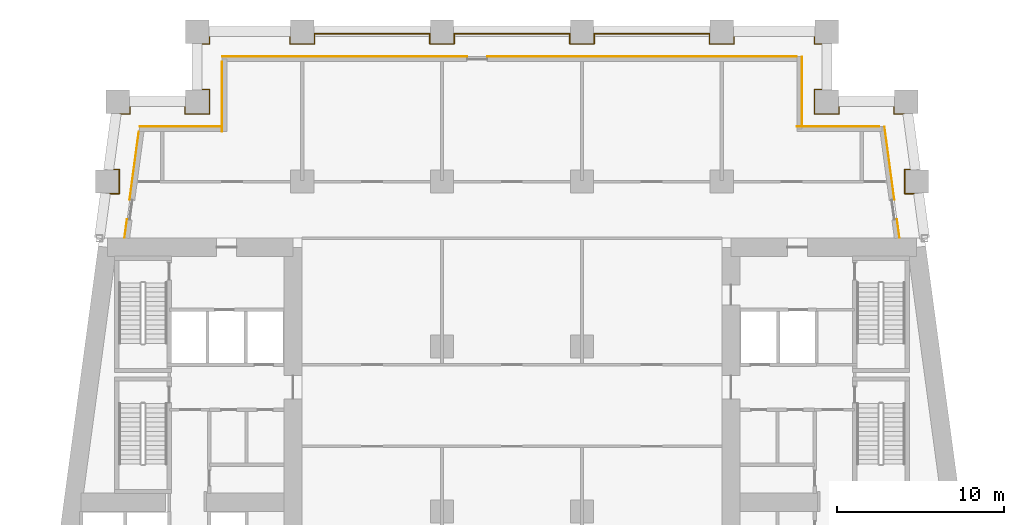
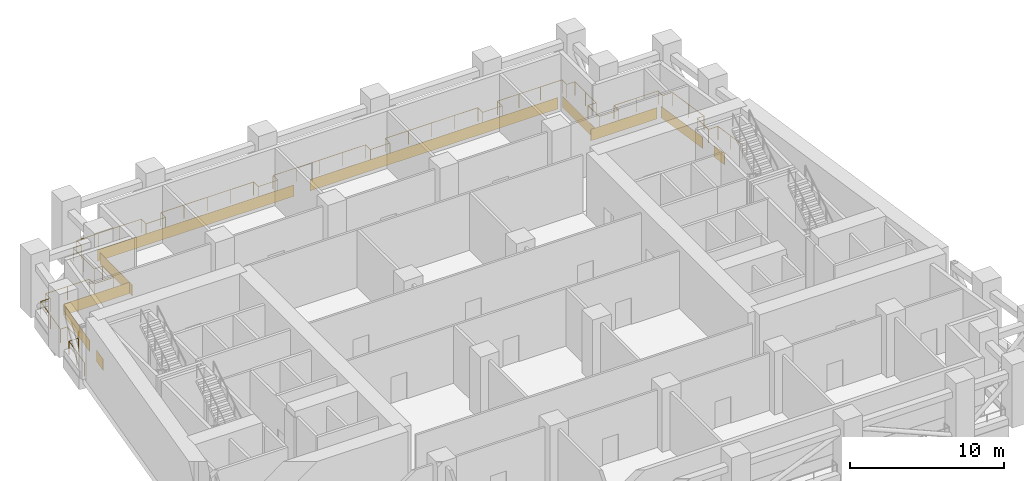
# One storey, part 12 of 12: 10 coverings, 1 railing.
"""IFC4 building model written with IfcOpenShell, lengths in metres."""

import ifcopenshell
import ifcopenshell.guid

model = None  # the IFC model being written
_history = None  # IfcOwnerHistory: only IFC2X3 demands one
_inside = {}  # id of a spatial element -> (the spatial element, [elements in it])
_under = {}  # id of a project, library or spatial element -> (it, [spatial elements below it])
_declared = {}  # id of a project -> (the project, [libraries it declares])
_typed = {}  # id of a type object -> (the type object, [elements of that type])
_made_of = {}  # id of a material, layer set ... -> (it, [elements and type objects made of it])


def new_model(schema):
    """Start an empty IFC model of exactly this schema.

    Asked for "IFC4X3", IfcOpenShell would pick the latest addendum, in which some entities
    have other attributes; the version numbers below select the first issue.
    IFC2X3 requires an IfcOwnerHistory on every rooted entity: one is made here for all.
    """
    global model, _history
    if schema == "IFC4X3":
        model = ifcopenshell.file(schema_version=(4, 3, 0, 0))
    else:
        model = ifcopenshell.file(schema=schema)
    _inside.clear()
    _under.clear()
    _declared.clear()
    _typed.clear()
    _made_of.clear()
    _history = None
    if model.schema == "IFC2X3":
        org = make("IfcOrganization", Name="unknown")
        user = make(
            "IfcPersonAndOrganization",
            ThePerson=make("IfcPerson", FamilyName="unknown"),
            TheOrganization=org,
        )
        app = make(
            "IfcApplication",
            ApplicationDeveloper=org,
            Version="unknown",
            ApplicationFullName="unknown",
            ApplicationIdentifier="unknown",
        )
        _history = make(
            "IfcOwnerHistory",
            OwningUser=user,
            OwningApplication=app,
            ChangeAction="ADDED",
            CreationDate=0,
        )
    return model


def make(cls, **values):
    """One entity of the class cls with the attributes given. An attribute that is None is left unset."""
    return model.create_entity(
        cls, **{name: value for name, value in values.items() if value is not None}
    )


def rooted(cls, **values):
    """An entity with a GlobalId (a new one), such as an element, a storey or a relation."""
    return make(cls, GlobalId=ifcopenshell.guid.new(), OwnerHistory=_history, **values)


def si_unit(unit_type, name, prefix=None):
    """IfcSIUnit, for example si_unit("LENGTHUNIT", "METRE", prefix="MILLI")."""
    return make("IfcSIUnit", UnitType=unit_type, Prefix=prefix, Name=name)


def assignment(units):
    """IfcUnitAssignment: the units of a project."""
    return None if units is None else make("IfcUnitAssignment", Units=units)


def point(xyz):
    """IfcCartesianPoint."""
    return None if xyz is None else make("IfcCartesianPoint", Coordinates=xyz)


def direction(xyz):
    """IfcDirection."""
    return None if xyz is None else make("IfcDirection", DirectionRatios=xyz)


def frame(location, z_axis=None, x_axis=None):
    """IfcAxis2Placement3D, a coordinate frame: its origin and axes. An axis left out is left unset."""
    return make(
        "IfcAxis2Placement3D",
        Location=point(location),
        Axis=direction(z_axis),
        RefDirection=direction(x_axis),
    )


def frame_2d(location, x_axis=None):
    """IfcAxis2Placement2D, a coordinate frame in the plane: its origin and x axis."""
    return make(
        "IfcAxis2Placement2D", Location=point(location), RefDirection=direction(x_axis)
    )


def origin():
    """The frame at (0, 0, 0) with its axes left unset."""
    return frame((0.0, 0.0, 0.0))


def origin_2d():
    """The frame at (0, 0) in the plane with its x axis left unset."""
    return frame_2d((0.0, 0.0))


def place(relative_to, where):
    """IfcLocalPlacement: puts the frame where relative to a parent placement (None: the world)."""
    return make(
        "IfcLocalPlacement", PlacementRelTo=relative_to, RelativePlacement=where
    )


def context(
    kind, dimensions, precision=None, world=None, true_north=None, identifier=None
):
    """IfcGeometricRepresentationContext, for example the 3D "Model" context."""
    return make(
        "IfcGeometricRepresentationContext",
        ContextIdentifier=identifier,
        ContextType=kind,
        CoordinateSpaceDimension=dimensions,
        Precision=precision,
        WorldCoordinateSystem=world,
        TrueNorth=true_north,
    )


def subcontext(parent, identifier, kind, view, scale=None):
    """IfcGeometricRepresentationSubContext, for example "Body" below "Model"."""
    return make(
        "IfcGeometricRepresentationSubContext",
        ContextIdentifier=identifier,
        ContextType=kind,
        ParentContext=parent,
        TargetScale=scale,
        TargetView=view,
    )


def project(units=None, contexts=None):
    """IfcProject with its units and contexts."""
    return rooted(
        "IfcProject",
        Name="project",
        RepresentationContexts=contexts,
        UnitsInContext=assignment(units),
    )


def spatial(cls, under=None, at=None, **own):
    """A site, building, storey or space (cls), placed at a placement, below another one or the project."""
    s = rooted(cls, ObjectPlacement=at, **own)
    if under is not None:
        _under.setdefault(under.id(), (under, []))[1].append(s)
    return s


def profile(cls, at=None, kind="AREA", **sizes):
    """A parametric profile (cls). Its sizes go by their IFC names, for example OverallWidth=200.0."""
    return make(cls, ProfileType=kind, Position=at, **sizes)


def rectangle(**sizes):
    """IfcRectangleProfileDef."""
    return profile("IfcRectangleProfileDef", **sizes)


def circle(**sizes):
    """IfcCircleProfileDef."""
    return profile("IfcCircleProfileDef", **sizes)


def extrude(swept, where, along, depth):
    """IfcExtrudedAreaSolid: the profile swept, set in the frame where, extruded along a direction by depth."""
    return make(
        "IfcExtrudedAreaSolid",
        SweptArea=swept,
        Position=where,
        ExtrudedDirection=direction(along),
        Depth=depth,
    )


def shape(context_of_items, identifier, shape_type, items):
    """IfcShapeRepresentation: the items that make up one representation, for example the "Body"."""
    return make(
        "IfcShapeRepresentation",
        ContextOfItems=context_of_items,
        RepresentationIdentifier=identifier,
        RepresentationType=shape_type,
        Items=items,
    )


def material(Name=None, Category=None):
    """IfcMaterial."""
    return make("IfcMaterial", Name=Name, Category=Category)


def layer(
    of_material, thickness, ventilated=None, Name=None, Category=None, Priority=None
):
    """IfcMaterialLayer: one layer of a wall or slab, of a material (None: an air gap)."""
    return make(
        "IfcMaterialLayer",
        Material=of_material,
        LayerThickness=thickness,
        IsVentilated=ventilated,
        Name=Name,
        Category=Category,
        Priority=Priority,
    )


def layer_set(layers, Name=None):
    """IfcMaterialLayerSet."""
    return make("IfcMaterialLayerSet", MaterialLayers=layers, LayerSetName=Name)


def made_of(thing, what):
    """Note that an element or type object is made of a material, layer set ...; save() writes the relation."""
    if what is not None:
        _made_of.setdefault(what.id(), (what, []))[1].append(thing)
    return thing


def type_object(cls, material=None, **own):
    """A type object (cls), such as IfcWallType, which elements share."""
    return made_of(rooted(cls, **own), material)


def element(
    cls,
    number,
    at=None,
    inside=None,
    cuts=None,
    type_object=None,
    material=None,
    context=None,
    identifier="Body",
    shape_type=None,
    held_by="IfcProductDefinitionShape",
    body=None,
    shapes=None,
    **own,
):
    """One element of the class cls, such as IfcWall. Its Tag is "e" and its number.

    at: its placement. inside: the storey or other place that contains it. cuts: it is an
    opening in that element (IfcRelVoidsElement). A single representation is given by context,
    identifier, shape_type and body (its items); several are given by shapes. held_by: the class
    of the entity that holds the representations. save() writes the other relations.
    """
    e = rooted(cls, Tag="e%d" % number, ObjectPlacement=at, **own)
    if body is not None:
        shapes = [shape(context, identifier, shape_type, body)]
    if shapes is not None:
        e.Representation = make(held_by, Representations=shapes)
    if inside is not None:
        _inside.setdefault(inside.id(), (inside, []))[1].append(e)
    if cuts is not None:
        rooted(
            "IfcRelVoidsElement", RelatingBuildingElement=cuts, RelatedOpeningElement=e
        )
    if type_object is not None:
        _typed.setdefault(type_object.id(), (type_object, []))[1].append(e)
    return made_of(e, material)


def aggregate(whole, parts):
    """IfcRelAggregates: a whole, such as a stair, and the parts it consists of."""
    return rooted("IfcRelAggregates", RelatingObject=whole, RelatedObjects=parts)


def save(model, path):
    """Write the relations noted so far, then the file.

    IfcRelAggregates (storeys below a building ...), IfcRelContainedInSpatialStructure (elements
    in a storey), IfcRelDefinesByType, IfcRelAssociatesMaterial and IfcRelDeclares: one each for
    every whole, place, type object, material and project.
    """
    for whole, parts in _under.values():
        aggregate(whole, parts)
    for where, things in _inside.values():
        rooted(
            "IfcRelContainedInSpatialStructure",
            RelatedElements=things,
            RelatingStructure=where,
        )
    for kind, things in _typed.values():
        rooted("IfcRelDefinesByType", RelatedObjects=things, RelatingType=kind)
    for what, things in _made_of.values():
        rooted("IfcRelAssociatesMaterial", RelatedObjects=things, RelatingMaterial=what)
    for by, libraries in _declared.values():
        rooted("IfcRelDeclares", RelatingContext=by, RelatedDefinitions=libraries)
    model.write(path)


model = new_model("IFC4")

# Units and contexts
model_context = context("Model", 3, precision=1e-05, world=origin(), true_north=direction((0.0, 1.0)))
body_context = subcontext(model_context, "Body", "Model", "MODEL_VIEW")
ifc_project = project(units=[si_unit("LENGTHUNIT", "METRE"), si_unit("AREAUNIT", "SQUARE_METRE"), si_unit("VOLUMEUNIT", "CUBIC_METRE"), si_unit("PLANEANGLEUNIT", "RADIAN"), si_unit("MASSUNIT", "GRAM", prefix="KILO")], contexts=[model_context])

# Site, building, storey
site_placement = place(None, origin())
site = spatial("IfcSite", under=ifc_project, at=site_placement, CompositionType="ELEMENT")
building_placement = place(site_placement, origin())
building = spatial("IfcBuilding", under=site, at=building_placement, Name="Candeia Pilgrim Tower and Theatre", CompositionType="ELEMENT")
storey_placement = place(building_placement, frame((0.0, 0.0, 81.0)))
storey = spatial("IfcBuildingStorey", under=building, at=storey_placement, Name="L18", CompositionType="ELEMENT", Elevation=81.0)

# Railing
ifc_material_1 = material(Name="Stainless steel balustrade", Category="steel")
railing_type = type_object("IfcRailingType", Name="G1 loggia guard 1100", PredefinedType="GUARDRAIL", material=ifc_material_1)
railing_placement = place(storey_placement, frame((88.758544921875, 132.449951171875, 0.0)))
element("IfcRailing", 1, at=railing_placement, inside=storey, type_object=railing_type, Name="Guard L18.2", PredefinedType="GUARDRAIL", context=body_context, shape_type="SweptSolid", body=[
    extrude(circle(Radius=0.02392578125, at=origin_2d()), frame((0.0, 0.0, 1.076171875), z_axis=(0.133439920495, 0.991056904329, 0.0), x_axis=(-0.991056904329, 0.133439920495, 0.0)), (0.0, 0.0, 1.0), 2.643798828125),
    extrude(circle(Radius=0.02392578125, at=origin_2d()), frame((0.352783203125, 2.6201171875, 1.076171875), z_axis=(1.0, 0.0, 0.0), x_axis=(0.0, 1.0, 0.0)), (0.0, 0.0, 1.0), 0.70703125),
    extrude(circle(Radius=0.02392578125, at=origin_2d()), frame((1.059814453125, 2.6201171875, 1.076171875), z_axis=(0.0, 1.0, 0.0), x_axis=(-1.0, 0.0, 0.0)), (0.0, 0.0, 1.0), 1.4599609375),
    extrude(circle(Radius=0.02392578125, at=origin_2d()), frame((1.059814453125, 4.080078125, 1.076171875), z_axis=(-1.0, 0.0, 0.0), x_axis=(0.0, -1.0, 0.0)), (0.0, 0.0, 1.0), 0.510498046875),
    extrude(circle(Radius=0.02392578125, at=origin_2d()), frame((0.54931640625, 4.080078125, 1.076171875), z_axis=(0.133364121373, 0.991067107279, 0.0), x_axis=(-0.991067107279, 0.133364121373, 0.0)), (0.0, 0.0, 1.0), 3.3701171875),
    extrude(circle(Radius=0.02392578125, at=origin_2d()), frame((0.998779296875, 7.420166015625, 1.076171875), z_axis=(1.0, 0.0, 0.0), x_axis=(0.0, 1.0, 0.0)), (0.0, 0.0, 1.0), 0.707275390625),
    extrude(circle(Radius=0.02392578125, at=origin_2d()), frame((1.7060546875, 7.420166015625, 1.076171875), z_axis=(0.0, 1.0, 0.0), x_axis=(-1.0, 0.0, 0.0)), (0.0, 0.0, 1.0), 0.60986328125),
    extrude(circle(Radius=0.02392578125, at=origin_2d()), frame((1.7060546875, 8.030029296875, 1.076171875), z_axis=(1.0, 0.0, 0.0), x_axis=(0.0, 1.0, 0.0)), (0.0, 0.0, 1.0), 3.305419921875),
    extrude(circle(Radius=0.02392578125, at=origin_2d()), frame((5.011474609375, 8.030029296875, 1.076171875), z_axis=(0.0, -1.0, 0.0), x_axis=(1.0, 0.0, 0.0)), (0.0, 0.0, 1.0), 0.60986328125),
    extrude(circle(Radius=0.02392578125, at=origin_2d()), frame((5.011474609375, 7.420166015625, 1.076171875), z_axis=(1.0, 0.0, 0.0), x_axis=(0.0, 1.0, 0.0)), (0.0, 0.0, 1.0), 1.4599609375),
    extrude(circle(Radius=0.02392578125, at=origin_2d()), frame((6.471435546875, 7.420166015625, 1.076171875), z_axis=(0.0, 1.0, 0.0), x_axis=(-1.0, 0.0, 0.0)), (0.0, 0.0, 1.0), 1.4599609375),
    extrude(circle(Radius=0.02392578125, at=origin_2d()), frame((6.471435546875, 8.880126953125, 1.076171875), z_axis=(-1.0, 0.0, 0.0), x_axis=(0.0, -1.0, 0.0)), (0.0, 0.0, 1.0), 0.60986328125),
    extrude(circle(Radius=0.02392578125, at=origin_2d()), frame((5.861572265625, 8.880126953125, 1.076171875), z_axis=(0.0, 1.0, 0.0), x_axis=(-1.0, 0.0, 0.0)), (0.0, 0.0, 1.0), 2.739990234375),
    extrude(circle(Radius=0.02392578125, at=origin_2d()), frame((5.861572265625, 11.6201171875, 1.076171875), z_axis=(1.0, 0.0, 0.0), x_axis=(0.0, 1.0, 0.0)), (0.0, 0.0, 1.0), 0.60986328125),
    extrude(circle(Radius=0.02392578125, at=origin_2d()), frame((6.471435546875, 11.6201171875, 1.076171875), z_axis=(0.0, 1.0, 0.0), x_axis=(-1.0, 0.0, 0.0)), (0.0, 0.0, 1.0), 0.60986328125),
    extrude(circle(Radius=0.02392578125, at=origin_2d()), frame((6.471435546875, 12.22998046875, 1.076171875), z_axis=(1.0, 0.0, 0.0), x_axis=(0.0, 1.0, 0.0)), (0.0, 0.0, 1.0), 4.840087890625),
    extrude(circle(Radius=0.02392578125, at=origin_2d()), frame((11.3115234375, 12.22998046875, 1.076171875), z_axis=(0.0, -1.0, 0.0), x_axis=(1.0, 0.0, 0.0)), (0.0, 0.0, 1.0), 0.60986328125),
    extrude(circle(Radius=0.02392578125, at=origin_2d()), frame((11.3115234375, 11.6201171875, 1.076171875), z_axis=(1.0, 0.0, 0.0), x_axis=(0.0, 1.0, 0.0)), (0.0, 0.0, 1.0), 1.4599609375),
    extrude(circle(Radius=0.02392578125, at=origin_2d()), frame((12.771484375, 11.6201171875, 1.076171875), z_axis=(0.0, 1.0, 0.0), x_axis=(-1.0, 0.0, 0.0)), (0.0, 0.0, 1.0), 0.60986328125),
    extrude(circle(Radius=0.02392578125, at=origin_2d()), frame((12.771484375, 12.22998046875, 1.076171875), z_axis=(1.0, 0.0, 0.0), x_axis=(0.0, 1.0, 0.0)), (0.0, 0.0, 1.0), 6.93994140625),
    extrude(circle(Radius=0.02392578125, at=origin_2d()), frame((19.71142578125, 12.22998046875, 1.076171875), z_axis=(0.0, -1.0, 0.0), x_axis=(1.0, 0.0, 0.0)), (0.0, 0.0, 1.0), 0.60986328125),
    extrude(circle(Radius=0.02392578125, at=origin_2d()), frame((19.71142578125, 11.6201171875, 1.076171875), z_axis=(1.0, 0.0, 0.0), x_axis=(0.0, 1.0, 0.0)), (0.0, 0.0, 1.0), 1.4599609375),
    extrude(circle(Radius=0.02392578125, at=origin_2d()), frame((21.17138671875, 11.6201171875, 1.076171875), z_axis=(0.0, 1.0, 0.0), x_axis=(-1.0, 0.0, 0.0)), (0.0, 0.0, 1.0), 0.60986328125),
    extrude(circle(Radius=0.02392578125, at=origin_2d()), frame((21.17138671875, 12.22998046875, 1.076171875), z_axis=(1.0, 0.0, 0.0), x_axis=(0.0, 1.0, 0.0)), (0.0, 0.0, 1.0), 6.940185546875),
    extrude(circle(Radius=0.02392578125, at=origin_2d()), frame((28.111572265625, 12.22998046875, 1.076171875), z_axis=(0.0, -1.0, 0.0), x_axis=(1.0, 0.0, 0.0)), (0.0, 0.0, 1.0), 0.60986328125),
    extrude(circle(Radius=0.02392578125, at=origin_2d()), frame((28.111572265625, 11.6201171875, 1.076171875), z_axis=(1.0, 0.0, 0.0), x_axis=(0.0, 1.0, 0.0)), (0.0, 0.0, 1.0), 1.4599609375),
    extrude(circle(Radius=0.02392578125, at=origin_2d()), frame((29.571533203125, 11.6201171875, 1.076171875), z_axis=(0.0, 1.0, 0.0), x_axis=(-1.0, 0.0, 0.0)), (0.0, 0.0, 1.0), 0.60986328125),
    extrude(circle(Radius=0.02392578125, at=origin_2d()), frame((29.571533203125, 12.22998046875, 1.076171875), z_axis=(1.0, 0.0, 0.0), x_axis=(0.0, 1.0, 0.0)), (0.0, 0.0, 1.0), 6.93994140625),
    extrude(circle(Radius=0.02392578125, at=origin_2d()), frame((36.511474609375, 12.22998046875, 1.076171875), z_axis=(0.0, -1.0, 0.0), x_axis=(1.0, 0.0, 0.0)), (0.0, 0.0, 1.0), 0.60986328125),
    extrude(circle(Radius=0.02392578125, at=origin_2d()), frame((36.511474609375, 11.6201171875, 1.076171875), z_axis=(1.0, 0.0, 0.0), x_axis=(0.0, 1.0, 0.0)), (0.0, 0.0, 1.0), 1.4599609375),
    extrude(circle(Radius=0.02392578125, at=origin_2d()), frame((37.971435546875, 11.6201171875, 1.076171875), z_axis=(0.0, 1.0, 0.0), x_axis=(-1.0, 0.0, 0.0)), (0.0, 0.0, 1.0), 0.60986328125),
    extrude(circle(Radius=0.02392578125, at=origin_2d()), frame((37.971435546875, 12.22998046875, 1.076171875), z_axis=(1.0, 0.0, 0.0), x_axis=(0.0, 1.0, 0.0)), (0.0, 0.0, 1.0), 4.840087890625),
    extrude(circle(Radius=0.02392578125, at=origin_2d()), frame((42.8115234375, 12.22998046875, 1.076171875), z_axis=(0.0, -1.0, 0.0), x_axis=(1.0, 0.0, 0.0)), (0.0, 0.0, 1.0), 0.60986328125),
    extrude(circle(Radius=0.02392578125, at=origin_2d()), frame((42.8115234375, 11.6201171875, 1.076171875), z_axis=(1.0, 0.0, 0.0), x_axis=(0.0, 1.0, 0.0)), (0.0, 0.0, 1.0), 0.60986328125),
    extrude(circle(Radius=0.02392578125, at=origin_2d()), frame((43.42138671875, 11.6201171875, 1.076171875), z_axis=(0.0, -1.0, 0.0), x_axis=(1.0, 0.0, 0.0)), (0.0, 0.0, 1.0), 2.739990234375),
    extrude(circle(Radius=0.02392578125, at=origin_2d()), frame((43.42138671875, 8.880126953125, 1.076171875), z_axis=(-1.0, 0.0, 0.0), x_axis=(0.0, -1.0, 0.0)), (0.0, 0.0, 1.0), 0.60986328125),
    extrude(circle(Radius=0.02392578125, at=origin_2d()), frame((42.8115234375, 8.880126953125, 1.076171875), z_axis=(0.0, -1.0, 0.0), x_axis=(1.0, 0.0, 0.0)), (0.0, 0.0, 1.0), 1.4599609375),
    extrude(circle(Radius=0.02392578125, at=origin_2d()), frame((42.8115234375, 7.420166015625, 1.076171875), z_axis=(1.0, 0.0, 0.0), x_axis=(0.0, 1.0, 0.0)), (0.0, 0.0, 1.0), 1.4599609375),
    extrude(circle(Radius=0.02392578125, at=origin_2d()), frame((44.271484375, 7.420166015625, 1.076171875), z_axis=(0.0, 1.0, 0.0), x_axis=(-1.0, 0.0, 0.0)), (0.0, 0.0, 1.0), 0.60986328125),
    extrude(circle(Radius=0.02392578125, at=origin_2d()), frame((44.271484375, 8.030029296875, 1.076171875), z_axis=(1.0, 0.0, 0.0), x_axis=(0.0, 1.0, 0.0)), (0.0, 0.0, 1.0), 3.305419921875),
    extrude(circle(Radius=0.02392578125, at=origin_2d()), frame((47.576904296875, 8.030029296875, 1.076171875), z_axis=(0.0, -1.0, 0.0), x_axis=(1.0, 0.0, 0.0)), (0.0, 0.0, 1.0), 0.60986328125),
    extrude(circle(Radius=0.02392578125, at=origin_2d()), frame((47.576904296875, 7.420166015625, 1.076171875), z_axis=(1.0, 0.0, 0.0), x_axis=(0.0, 1.0, 0.0)), (0.0, 0.0, 1.0), 0.70703125),
    extrude(circle(Radius=0.02392578125, at=origin_2d()), frame((48.283935546875, 7.420166015625, 1.076171875), z_axis=(0.133435273035, -0.991057530071, 0.0), x_axis=(0.991057530071, 0.133435273035, 0.0)), (0.0, 0.0, 1.0), 3.3701171875),
    extrude(circle(Radius=0.02392578125, at=origin_2d()), frame((48.733642578125, 4.080078125, 1.076171875), z_axis=(-1.0, 0.0, 0.0), x_axis=(0.0, -1.0, 0.0)), (0.0, 0.0, 1.0), 0.5107421875),
    extrude(circle(Radius=0.02392578125, at=origin_2d()), frame((48.222900390625, 4.080078125, 1.076171875), z_axis=(0.0, -1.0, 0.0), x_axis=(1.0, 0.0, 0.0)), (0.0, 0.0, 1.0), 1.4599609375),
    extrude(circle(Radius=0.02392578125, at=origin_2d()), frame((48.222900390625, 2.6201171875, 1.076171875), z_axis=(1.0, 0.0, 0.0), x_axis=(0.0, 1.0, 0.0)), (0.0, 0.0, 1.0), 0.707275390625),
    extrude(circle(Radius=0.02392578125, at=origin_2d()), frame((48.93017578125, 2.6201171875, 1.076171875), z_axis=(0.133439920495, -0.991056904329, 0.0), x_axis=(0.991056904329, 0.133439920495, 0.0)), (0.0, 0.0, 1.0), 2.643798828125),
    extrude(circle(Radius=0.02099609375, at=origin_2d()), origin(), (0.0, 0.0, 1.0), 1.052001953125),
    extrude(circle(Radius=0.02099609375, at=origin_2d()), frame((0.17626953125, 1.31005859375, 0.0)), (0.0, 0.0, 1.0), 1.052001953125),
    extrude(circle(Radius=0.02099609375, at=origin_2d()), frame((0.352783203125, 2.6201171875, 0.0)), (0.0, 0.0, 1.0), 1.052001953125),
    extrude(circle(Radius=0.02099609375, at=origin_2d()), frame((1.059814453125, 2.6201171875, 0.0)), (0.0, 0.0, 1.0), 1.052001953125),
    extrude(circle(Radius=0.02099609375, at=origin_2d()), frame((1.059814453125, 4.080078125, 0.0)), (0.0, 0.0, 1.0), 1.052001953125),
    extrude(circle(Radius=0.02099609375, at=origin_2d()), frame((0.54931640625, 4.080078125, 0.0)), (0.0, 0.0, 1.0), 1.052001953125),
    extrude(circle(Radius=0.02099609375, at=origin_2d()), frame((0.77392578125, 5.75, 0.0)), (0.0, 0.0, 1.0), 1.052001953125),
    extrude(circle(Radius=0.02099609375, at=origin_2d()), frame((0.998779296875, 7.420166015625, 0.0)), (0.0, 0.0, 1.0), 1.052001953125),
    extrude(circle(Radius=0.02099609375, at=origin_2d()), frame((1.7060546875, 7.420166015625, 0.0)), (0.0, 0.0, 1.0), 1.052001953125),
    extrude(circle(Radius=0.02099609375, at=origin_2d()), frame((1.7060546875, 8.030029296875, 0.0)), (0.0, 0.0, 1.0), 1.052001953125),
    extrude(circle(Radius=0.02099609375, at=origin_2d()), frame((3.35888671875, 8.030029296875, 0.0)), (0.0, 0.0, 1.0), 1.052001953125),
    extrude(circle(Radius=0.02099609375, at=origin_2d()), frame((5.011474609375, 8.030029296875, 0.0)), (0.0, 0.0, 1.0), 1.052001953125),
    extrude(circle(Radius=0.02099609375, at=origin_2d()), frame((5.011474609375, 7.420166015625, 0.0)), (0.0, 0.0, 1.0), 1.052001953125),
    extrude(circle(Radius=0.02099609375, at=origin_2d()), frame((6.471435546875, 7.420166015625, 0.0)), (0.0, 0.0, 1.0), 1.052001953125),
    extrude(circle(Radius=0.02099609375, at=origin_2d()), frame((6.471435546875, 8.880126953125, 0.0)), (0.0, 0.0, 1.0), 1.052001953125),
    extrude(circle(Radius=0.02099609375, at=origin_2d()), frame((5.861572265625, 8.880126953125, 0.0)), (0.0, 0.0, 1.0), 1.052001953125),
    extrude(circle(Radius=0.02099609375, at=origin_2d()), frame((5.861572265625, 10.25, 0.0)), (0.0, 0.0, 1.0), 1.052001953125),
    extrude(circle(Radius=0.02099609375, at=origin_2d()), frame((5.861572265625, 11.6201171875, 0.0)), (0.0, 0.0, 1.0), 1.052001953125),
    extrude(circle(Radius=0.02099609375, at=origin_2d()), frame((6.471435546875, 11.6201171875, 0.0)), (0.0, 0.0, 1.0), 1.052001953125),
    extrude(circle(Radius=0.02099609375, at=origin_2d()), frame((6.471435546875, 12.22998046875, 0.0)), (0.0, 0.0, 1.0), 1.052001953125),
    extrude(circle(Radius=0.02099609375, at=origin_2d()), frame((8.084716796875, 12.22998046875, 0.0)), (0.0, 0.0, 1.0), 1.052001953125),
    extrude(circle(Radius=0.02099609375, at=origin_2d()), frame((9.6982421875, 12.22998046875, 0.0)), (0.0, 0.0, 1.0), 1.052001953125),
    extrude(circle(Radius=0.02099609375, at=origin_2d()), frame((11.3115234375, 12.22998046875, 0.0)), (0.0, 0.0, 1.0), 1.052001953125),
    extrude(circle(Radius=0.02099609375, at=origin_2d()), frame((11.3115234375, 11.6201171875, 0.0)), (0.0, 0.0, 1.0), 1.052001953125),
    extrude(circle(Radius=0.02099609375, at=origin_2d()), frame((12.771484375, 11.6201171875, 0.0)), (0.0, 0.0, 1.0), 1.052001953125),
    extrude(circle(Radius=0.02099609375, at=origin_2d()), frame((12.771484375, 12.22998046875, 0.0)), (0.0, 0.0, 1.0), 1.052001953125),
    extrude(circle(Radius=0.02099609375, at=origin_2d()), frame((14.50634765625, 12.22998046875, 0.0)), (0.0, 0.0, 1.0), 1.052001953125),
    extrude(circle(Radius=0.02099609375, at=origin_2d()), frame((16.241455078125, 12.22998046875, 0.0)), (0.0, 0.0, 1.0), 1.052001953125),
    extrude(circle(Radius=0.02099609375, at=origin_2d()), frame((17.9765625, 12.22998046875, 0.0)), (0.0, 0.0, 1.0), 1.052001953125),
    extrude(circle(Radius=0.02099609375, at=origin_2d()), frame((19.71142578125, 12.22998046875, 0.0)), (0.0, 0.0, 1.0), 1.052001953125),
    extrude(circle(Radius=0.02099609375, at=origin_2d()), frame((19.71142578125, 11.6201171875, 0.0)), (0.0, 0.0, 1.0), 1.052001953125),
    extrude(circle(Radius=0.02099609375, at=origin_2d()), frame((21.17138671875, 11.6201171875, 0.0)), (0.0, 0.0, 1.0), 1.052001953125),
    extrude(circle(Radius=0.02099609375, at=origin_2d()), frame((21.17138671875, 12.22998046875, 0.0)), (0.0, 0.0, 1.0), 1.052001953125),
    extrude(circle(Radius=0.02099609375, at=origin_2d()), frame((22.906494140625, 12.22998046875, 0.0)), (0.0, 0.0, 1.0), 1.052001953125),
    extrude(circle(Radius=0.02099609375, at=origin_2d()), frame((24.6416015625, 12.22998046875, 0.0)), (0.0, 0.0, 1.0), 1.052001953125),
    extrude(circle(Radius=0.02099609375, at=origin_2d()), frame((26.37646484375, 12.22998046875, 0.0)), (0.0, 0.0, 1.0), 1.052001953125),
    extrude(circle(Radius=0.02099609375, at=origin_2d()), frame((28.111572265625, 12.22998046875, 0.0)), (0.0, 0.0, 1.0), 1.052001953125),
    extrude(circle(Radius=0.02099609375, at=origin_2d()), frame((28.111572265625, 11.6201171875, 0.0)), (0.0, 0.0, 1.0), 1.052001953125),
    extrude(circle(Radius=0.02099609375, at=origin_2d()), frame((29.571533203125, 11.6201171875, 0.0)), (0.0, 0.0, 1.0), 1.052001953125),
    extrude(circle(Radius=0.02099609375, at=origin_2d()), frame((29.571533203125, 12.22998046875, 0.0)), (0.0, 0.0, 1.0), 1.052001953125),
    extrude(circle(Radius=0.02099609375, at=origin_2d()), frame((31.306640625, 12.22998046875, 0.0)), (0.0, 0.0, 1.0), 1.052001953125),
    extrude(circle(Radius=0.02099609375, at=origin_2d()), frame((33.04150390625, 12.22998046875, 0.0)), (0.0, 0.0, 1.0), 1.052001953125),
    extrude(circle(Radius=0.02099609375, at=origin_2d()), frame((34.7763671875, 12.22998046875, 0.0)), (0.0, 0.0, 1.0), 1.052001953125),
    extrude(circle(Radius=0.02099609375, at=origin_2d()), frame((36.511474609375, 12.22998046875, 0.0)), (0.0, 0.0, 1.0), 1.052001953125),
    extrude(circle(Radius=0.02099609375, at=origin_2d()), frame((36.511474609375, 11.6201171875, 0.0)), (0.0, 0.0, 1.0), 1.052001953125),
    extrude(circle(Radius=0.02099609375, at=origin_2d()), frame((37.971435546875, 11.6201171875, 0.0)), (0.0, 0.0, 1.0), 1.052001953125),
    extrude(circle(Radius=0.02099609375, at=origin_2d()), frame((37.971435546875, 12.22998046875, 0.0)), (0.0, 0.0, 1.0), 1.052001953125),
    extrude(circle(Radius=0.02099609375, at=origin_2d()), frame((39.584716796875, 12.22998046875, 0.0)), (0.0, 0.0, 1.0), 1.052001953125),
    extrude(circle(Radius=0.02099609375, at=origin_2d()), frame((41.1982421875, 12.22998046875, 0.0)), (0.0, 0.0, 1.0), 1.052001953125),
    extrude(circle(Radius=0.02099609375, at=origin_2d()), frame((42.8115234375, 12.22998046875, 0.0)), (0.0, 0.0, 1.0), 1.052001953125),
    extrude(circle(Radius=0.02099609375, at=origin_2d()), frame((42.8115234375, 11.6201171875, 0.0)), (0.0, 0.0, 1.0), 1.052001953125),
    extrude(circle(Radius=0.02099609375, at=origin_2d()), frame((43.42138671875, 11.6201171875, 0.0)), (0.0, 0.0, 1.0), 1.052001953125),
    extrude(circle(Radius=0.02099609375, at=origin_2d()), frame((43.42138671875, 10.25, 0.0)), (0.0, 0.0, 1.0), 1.052001953125),
    extrude(circle(Radius=0.02099609375, at=origin_2d()), frame((43.42138671875, 8.880126953125, 0.0)), (0.0, 0.0, 1.0), 1.052001953125),
    extrude(circle(Radius=0.02099609375, at=origin_2d()), frame((42.8115234375, 8.880126953125, 0.0)), (0.0, 0.0, 1.0), 1.052001953125),
    extrude(circle(Radius=0.02099609375, at=origin_2d()), frame((42.8115234375, 7.420166015625, 0.0)), (0.0, 0.0, 1.0), 1.052001953125),
    extrude(circle(Radius=0.02099609375, at=origin_2d()), frame((44.271484375, 7.420166015625, 0.0)), (0.0, 0.0, 1.0), 1.052001953125),
    extrude(circle(Radius=0.02099609375, at=origin_2d()), frame((44.271484375, 8.030029296875, 0.0)), (0.0, 0.0, 1.0), 1.052001953125),
    extrude(circle(Radius=0.02099609375, at=origin_2d()), frame((45.92431640625, 8.030029296875, 0.0)), (0.0, 0.0, 1.0), 1.052001953125),
    extrude(circle(Radius=0.02099609375, at=origin_2d()), frame((47.576904296875, 8.030029296875, 0.0)), (0.0, 0.0, 1.0), 1.052001953125),
    extrude(circle(Radius=0.02099609375, at=origin_2d()), frame((47.576904296875, 7.420166015625, 0.0)), (0.0, 0.0, 1.0), 1.052001953125),
    extrude(circle(Radius=0.02099609375, at=origin_2d()), frame((48.283935546875, 7.420166015625, 0.0)), (0.0, 0.0, 1.0), 1.052001953125),
    extrude(circle(Radius=0.02099609375, at=origin_2d()), frame((48.5087890625, 5.75, 0.0)), (0.0, 0.0, 1.0), 1.052001953125),
    extrude(circle(Radius=0.02099609375, at=origin_2d()), frame((48.733642578125, 4.080078125, 0.0)), (0.0, 0.0, 1.0), 1.052001953125),
    extrude(circle(Radius=0.02099609375, at=origin_2d()), frame((48.222900390625, 4.080078125, 0.0)), (0.0, 0.0, 1.0), 1.052001953125),
    extrude(circle(Radius=0.02099609375, at=origin_2d()), frame((48.222900390625, 2.6201171875, 0.0)), (0.0, 0.0, 1.0), 1.052001953125),
    extrude(circle(Radius=0.02099609375, at=origin_2d()), frame((48.93017578125, 2.6201171875, 0.0)), (0.0, 0.0, 1.0), 1.052001953125),
    extrude(circle(Radius=0.02099609375, at=origin_2d()), frame((49.1064453125, 1.31005859375, 0.0)), (0.0, 0.0, 1.0), 1.052001953125),
    extrude(circle(Radius=0.02099609375, at=origin_2d()), frame((49.282958984375, 0.0, 0.0)), (0.0, 0.0, 1.0), 1.052001953125),
])

# Coverings
ifc_material_2 = material(Name="Glazed ceramic tile red")
ifc_layer = layer(ifc_material_2, 0.02001953125)
ifc_layer_set = layer_set([ifc_layer], Name="Glazed ceramic tile red")
covering_type = type_object("IfcCoveringType", Name="Glazed ceramic tile red", PredefinedType="CLADDING", material=ifc_layer_set)
covering_1_placement = place(storey_placement, frame((136.588623046875, 132.97412109375, 0.0), z_axis=(0.0, 0.0, 1.0), x_axis=(-0.133412012145, 0.991060661622, 0.0)))
element("IfcCovering", 2, at=covering_1_placement, inside=storey, type_object=covering_type, Name="Tile cladding red L18", PredefinedType="CLADDING", context=body_context, shape_type="SweptSolid", body=[
    extrude(rectangle(XDim=1.115234375, YDim=0.02001953125, at=origin_2d()), origin(), (0.0, 0.0, 1.0), 0.89990234375),
])
covering_2_placement = place(storey_placement, frame((136.058837890625, 136.90869140625, 0.0), z_axis=(0.0, 0.0, 1.0), x_axis=(-0.133412012145, 0.991060661622, 0.0)))
element("IfcCovering", 3, at=covering_2_placement, inside=storey, type_object=covering_type, Name="Tile cladding red L18", PredefinedType="CLADDING", context=body_context, shape_type="SweptSolid", body=[
    extrude(rectangle(XDim=4.4248046875, YDim=0.02001953125, at=origin_2d()), origin(), (0.0, 0.0, 1.0), 0.89990234375),
])
covering_3_placement = place(storey_placement, frame((132.976318359375, 139.110107421875, 0.0), z_axis=(0.0, 0.0, 1.0), x_axis=(-1.0, 0.0, 0.0)))
element("IfcCovering", 4, at=covering_3_placement, inside=storey, type_object=covering_type, Name="Tile cladding red L18", PredefinedType="CLADDING", context=body_context, shape_type="SweptSolid", body=[
    extrude(rectangle(XDim=4.95263671875, YDim=0.02001953125, at=origin_2d()), origin(), (0.0, 0.0, 1.0), 0.89990234375),
])
covering_4_placement = place(storey_placement, frame((130.81005859375, 141.2099609375, 0.0), z_axis=(0.0, 0.0, 1.0), x_axis=(0.0, 1.0, 0.0)))
element("IfcCovering", 5, at=covering_4_placement, inside=storey, type_object=covering_type, Name="Tile cladding red L18", PredefinedType="CLADDING", context=body_context, shape_type="SweptSolid", body=[
    extrude(rectangle(XDim=4.179931640625, YDim=0.02001953125, at=origin_2d()), origin(), (0.0, 0.0, 1.0), 0.89990234375),
])
covering_5_placement = place(storey_placement, frame((121.18994140625, 143.31005859375, 0.0), z_axis=(0.0, 0.0, 1.0), x_axis=(-1.0, 0.0, 0.0)))
element("IfcCovering", 6, at=covering_5_placement, inside=storey, type_object=covering_type, Name="Tile cladding red L18", PredefinedType="CLADDING", context=body_context, shape_type="SweptSolid", body=[
    extrude(rectangle(XDim=18.580078125, YDim=0.02001953125, at=origin_2d()), origin(), (0.0, 0.0, 1.0), 0.89990234375),
])
covering_6_placement = place(storey_placement, frame((103.35009765625, 143.31005859375, 0.0), z_axis=(0.0, 0.0, 1.0), x_axis=(-1.0, 0.0, 0.0)))
element("IfcCovering", 7, at=covering_6_placement, inside=storey, type_object=covering_type, Name="Tile cladding red L18", PredefinedType="CLADDING", context=body_context, shape_type="SweptSolid", body=[
    extrude(rectangle(XDim=14.699951171875, YDim=0.02001953125, at=origin_2d()), origin(), (0.0, 0.0, 1.0), 0.89990234375),
])
covering_7_placement = place(storey_placement, frame((95.989990234375, 140.889892578125, 0.0), z_axis=(0.0, 0.0, 1.0), x_axis=(0.0, -1.0, 0.0)))
element("IfcCovering", 8, at=covering_7_placement, inside=storey, type_object=covering_type, Name="Tile cladding red L18", PredefinedType="CLADDING", context=body_context, shape_type="SweptSolid", body=[
    extrude(rectangle(XDim=4.179931640625, YDim=0.02001953125, at=origin_2d()), origin(), (0.0, 0.0, 1.0), 0.89990234375),
])
covering_8_placement = place(storey_placement, frame((93.51318359375, 139.110107421875, 0.0), z_axis=(0.0, 0.0, 1.0), x_axis=(-1.0, 0.0, 0.0)))
element("IfcCovering", 9, at=covering_8_placement, inside=storey, type_object=covering_type, Name="Tile cladding red L18", PredefinedType="CLADDING", context=body_context, shape_type="SweptSolid", body=[
    extrude(rectangle(XDim=4.933837890625, YDim=0.02001953125, at=origin_2d()), origin(), (0.0, 0.0, 1.0), 0.89990234375),
])
covering_9_placement = place(storey_placement, frame((90.720947265625, 136.759521484375, 0.0), z_axis=(0.0, 0.0, 1.0), x_axis=(-0.133412012145, -0.991060661622, 0.0)))
element("IfcCovering", 10, at=covering_9_placement, inside=storey, type_object=covering_type, Name="Tile cladding red L18", PredefinedType="CLADDING", context=body_context, shape_type="SweptSolid", body=[
    extrude(rectangle(XDim=4.123779296875, YDim=0.02001953125, at=origin_2d()), origin(), (0.0, 0.0, 1.0), 0.89990234375),
])
covering_10_placement = place(storey_placement, frame((90.21142578125, 132.97412109375, 0.0), z_axis=(0.0, 0.0, 1.0), x_axis=(-0.133412012145, -0.991060661622, 0.0)))
element("IfcCovering", 11, at=covering_10_placement, inside=storey, type_object=covering_type, Name="Tile cladding red L18", PredefinedType="CLADDING", context=body_context, shape_type="SweptSolid", body=[
    extrude(rectangle(XDim=1.115234375, YDim=0.02001953125, at=origin_2d()), origin(), (0.0, 0.0, 1.0), 0.89990234375),
])

save(model, "model.ifc")
